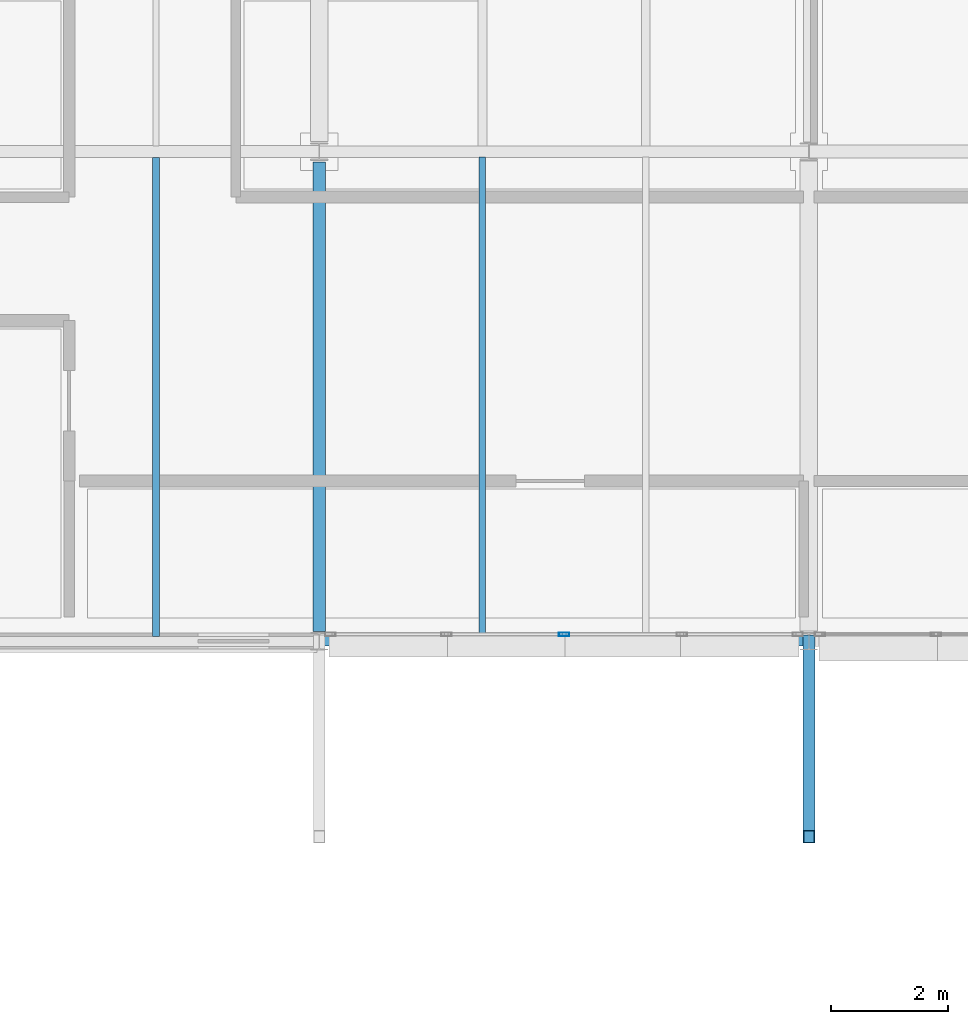
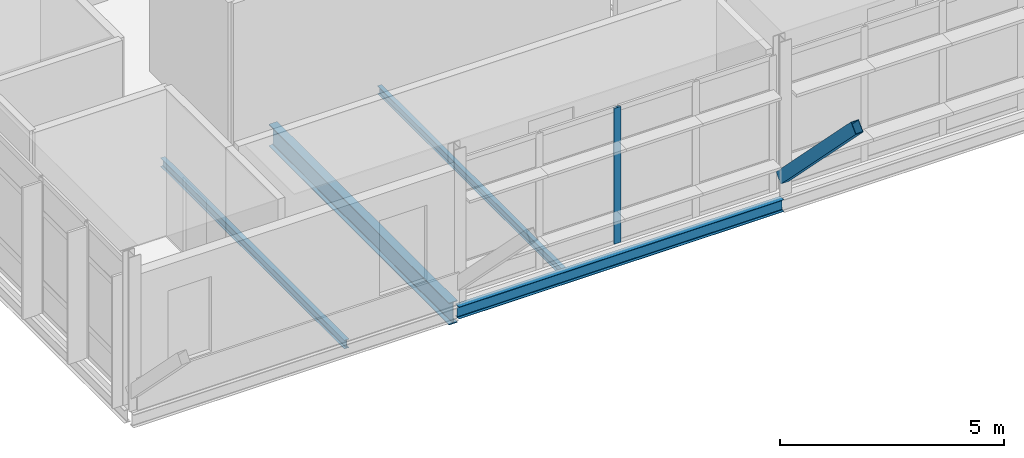
# One storey, part 7 of 35: 4 beams, 2 members, 1 element without a shape of its own.
"""IFC4 building model written with IfcOpenShell, lengths in metres."""

from ifc_helpers import new_model, si_unit, direction, frame, origin, origin_2d, place, context, subcontext, project, spatial, hollow_rectangle, i_section, extrude, material, material_profile, profile_set, type_object, element, aggregate, save


model = new_model("IFC4")

# Units and contexts
model_context = context("Model", 3, precision=1e-05, world=origin(), true_north=direction((0.0, 1.0)))
body_context = subcontext(model_context, "Body", "Model", "MODEL_VIEW")
ifc_project = project(units=[si_unit("LENGTHUNIT", "METRE"), si_unit("AREAUNIT", "SQUARE_METRE"), si_unit("VOLUMEUNIT", "CUBIC_METRE"), si_unit("PLANEANGLEUNIT", "RADIAN"), si_unit("MASSUNIT", "GRAM", prefix="KILO")], contexts=[model_context])

# Site, building, storey
site_placement = place(None, origin())
site = spatial("IfcSite", under=ifc_project, at=site_placement, CompositionType="ELEMENT")
building_placement = place(site_placement, origin())
building = spatial("IfcBuilding", under=site, at=building_placement, Name="Mersafa Astral City Hall", CompositionType="ELEMENT")
storey_placement = place(building_placement, frame((0.0, 0.0, 30.14990234375)))
storey = spatial("IfcBuildingStorey", under=building, at=storey_placement, Name="L07", CompositionType="ELEMENT", Elevation=30.14990234375)

# Curtain wall, member
ifc_material_1 = material(Name="Anodised bronze aluminium framing", Category="aluminium")
curtain_wall_type = type_object("IfcCurtainWallType", Name="ENV-CW-6", PredefinedType="USERDEFINED", material=ifc_material_1)
curtain_wall_placement = place(storey_placement, origin())
curtain_wall = element("IfcCurtainWall", 1, at=curtain_wall_placement, inside=storey, type_object=curtain_wall_type, Name="L07 Unitised solar curtain wall 275", ObjectType="UNITISED CURTAIN WALL", PredefinedType="USERDEFINED")
ifc_material_profile_1 = material_profile(ifc_material_1, hollow_rectangle(XDim=0.06005859375, YDim=0.179931640625, WallThickness=0.00390625, at=origin_2d()), Name="RHS 60x180x4")
ifc_profile_set_1 = profile_set([ifc_material_profile_1], Name="Anodised bronze aluminium framing")
member_type_1 = type_object("IfcMemberType", Name="ENV-CW-MUL-1", PredefinedType="MULLION", material=ifc_profile_set_1)
member_1_placement = place(storey_placement, frame((121.800048828125, 109.320068359375, -0.001953125), z_axis=(0.0, 0.0, 1.0), x_axis=(0.0, 1.0, 0.0)))
member_1 = element("IfcMember", 2, at=member_1_placement, type_object=member_type_1, Name="CW-6 mullion 3", PredefinedType="MULLION", context=body_context, shape_type="SweptSolid", body=[
    extrude(hollow_rectangle(XDim=0.06005859375, YDim=0.179931640625, WallThickness=0.00390625, at=origin_2d()), origin(), (0.0, 0.0, 1.0), 3.708984375),
])
aggregate(curtain_wall, [member_1])

# Beams
ifc_material_2 = material(Name="Steel S355", Category="steel")
ifc_material_profile_2 = material_profile(ifc_material_2, i_section(OverallWidth=0.219970703125, OverallDepth=0.60009765625, WebThickness=0.011962890625, FlangeThickness=0.01904296875, FilletRadius=0.02392578125, at=origin_2d()), Name="IPE 600")
ifc_profile_set_2 = profile_set([ifc_material_profile_2], Name="Steel S355")
beam_type_1 = type_object("IfcBeamType", Name="STR-BM-IPE600", PredefinedType="BEAM", material=ifc_profile_set_2)
beam_1_placement = place(storey_placement, frame((117.60009765625, 109.364990234375, -0.474853515625), z_axis=(0.0, 1.0, 0.0), x_axis=(-1.0, 0.0, 0.0)))
element("IfcBeam", 3, at=beam_1_placement, inside=storey, type_object=beam_type_1, Name="L07 Primary girder Y 14-13", PredefinedType="BEAM", context=body_context, shape_type="SweptSolid", body=[
    extrude(i_section(OverallWidth=0.219970703125, OverallDepth=0.60009765625, WebThickness=0.011962890625, FlangeThickness=0.01904296875, FilletRadius=0.02392578125, at=origin_2d()), origin(), (0.0, 0.0, 1.0), 8.06005859375),
])
ifc_material_profile_3 = material_profile(ifc_material_2, i_section(OverallWidth=0.110107421875, OverallDepth=0.219970703125, WebThickness=0.005859375, FlangeThickness=0.00927734375, FilletRadius=0.011962890625, at=origin_2d()), Name="IPE 220")
ifc_profile_set_3 = profile_set([ifc_material_profile_3], Name="Steel S355")
beam_type_2 = type_object("IfcBeamType", Name="STR-BM-JOIST-IPE220", PredefinedType="JOIST", material=ifc_profile_set_3)
beam_2_placement = place(storey_placement, frame((120.39990234375, 109.27490234375, -0.284912109375), z_axis=(0.0, 1.0, 0.0), x_axis=(-1.0, 0.0, 0.0)))
element("IfcBeam", 4, at=beam_2_placement, inside=storey, type_object=beam_type_2, Name="L07 Composite secondary floor joist 892", PredefinedType="JOIST", context=body_context, shape_type="SweptSolid", body=[
    extrude(i_section(OverallWidth=0.110107421875, OverallDepth=0.219970703125, WebThickness=0.005859375, FlangeThickness=0.00927734375, FilletRadius=0.011962890625, at=origin_2d()), origin(), (0.0, 0.0, 1.0), 8.22998046875),
])
ifc_material_profile_4 = material_profile(ifc_material_2, i_section(OverallWidth=0.1201171875, OverallDepth=0.239990234375, WebThickness=0.006103515625, FlangeThickness=0.009765625, FilletRadius=0.014892578125, at=origin_2d()), Name="IPE 240")
ifc_profile_set_4 = profile_set([ifc_material_profile_4], Name="Steel S355")
beam_type_3 = type_object("IfcBeamType", Name="STR-BM-JOIST-IPE240", PredefinedType="JOIST", material=ifc_profile_set_4)
beam_3_placement = place(storey_placement, frame((114.800048828125, 109.280029296875, -0.294921875), z_axis=(0.0, 1.0, 0.0), x_axis=(-1.0, 0.0, 0.0)))
element("IfcBeam", 5, at=beam_3_placement, inside=storey, type_object=beam_type_3, Name="L07 Composite secondary floor joist 889", PredefinedType="JOIST", context=body_context, shape_type="SweptSolid", body=[
    extrude(i_section(OverallWidth=0.1201171875, OverallDepth=0.239990234375, WebThickness=0.006103515625, FlangeThickness=0.009765625, FilletRadius=0.014892578125, at=origin_2d()), origin(), (0.0, 0.0, 1.0), 8.219970703125),
])
ifc_material_profile_5 = material_profile(ifc_material_2, i_section(OverallWidth=0.159912109375, OverallDepth=0.330078125, WebThickness=0.007568359375, FlangeThickness=0.011474609375, FilletRadius=0.01806640625, at=origin_2d()), Name="IPE 330")
ifc_profile_set_5 = profile_set([ifc_material_profile_5], Name="Steel S355")
beam_type_4 = type_object("IfcBeamType", Name="STR-BM-SPANDREL-IPE330", PredefinedType="SPANDREL", material=ifc_profile_set_5)
beam_4_placement = place(storey_placement, frame((117.60302734375, 109.199951171875, -0.33984375), z_axis=(1.0, 0.0, 0.0), x_axis=(0.0, 1.0, 0.0)))
element("IfcBeam", 6, at=beam_4_placement, inside=storey, type_object=beam_type_4, Name="L07 Primary girder X 14-13", PredefinedType="SPANDREL", context=body_context, shape_type="SweptSolid", body=[
    extrude(i_section(OverallWidth=0.159912109375, OverallDepth=0.330078125, WebThickness=0.007568359375, FlangeThickness=0.011474609375, FilletRadius=0.01806640625, at=origin_2d()), origin(), (0.0, 0.0, 1.0), 8.39404296875),
])

# Member
ifc_material_profile_6 = material_profile(ifc_material_2, hollow_rectangle(XDim=0.199951171875, YDim=0.300048828125, WallThickness=0.012451171875, at=origin_2d()), Name="RHS 200x300x12.5")
ifc_profile_set_6 = profile_set([ifc_material_profile_6], Name="Steel S355")
member_type_2 = type_object("IfcMemberType", Name="STR-MBR-STRUT-RHS200X300", PredefinedType="BRACE", material=ifc_profile_set_6)
member_2_placement = place(storey_placement, frame((126.0, 109.199951171875, 0.400146484375), z_axis=(0.0, -0.702893642121, 0.711294965444), x_axis=(1.0, 0.0, 0.0)))
element("IfcMember", 7, at=member_2_placement, inside=storey, type_object=member_type_2, Name="L07 Raked cosmic eave strut ROOF-T6-V6 S-15", PredefinedType="BRACE", context=body_context, shape_type="SweptSolid", body=[
    extrude(hollow_rectangle(XDim=0.199951171875, YDim=0.300048828125, WallThickness=0.012451171875, at=origin_2d()), origin(), (0.0, 0.0, 1.0), 4.765869140625),
])

save(model, "model.ifc")
